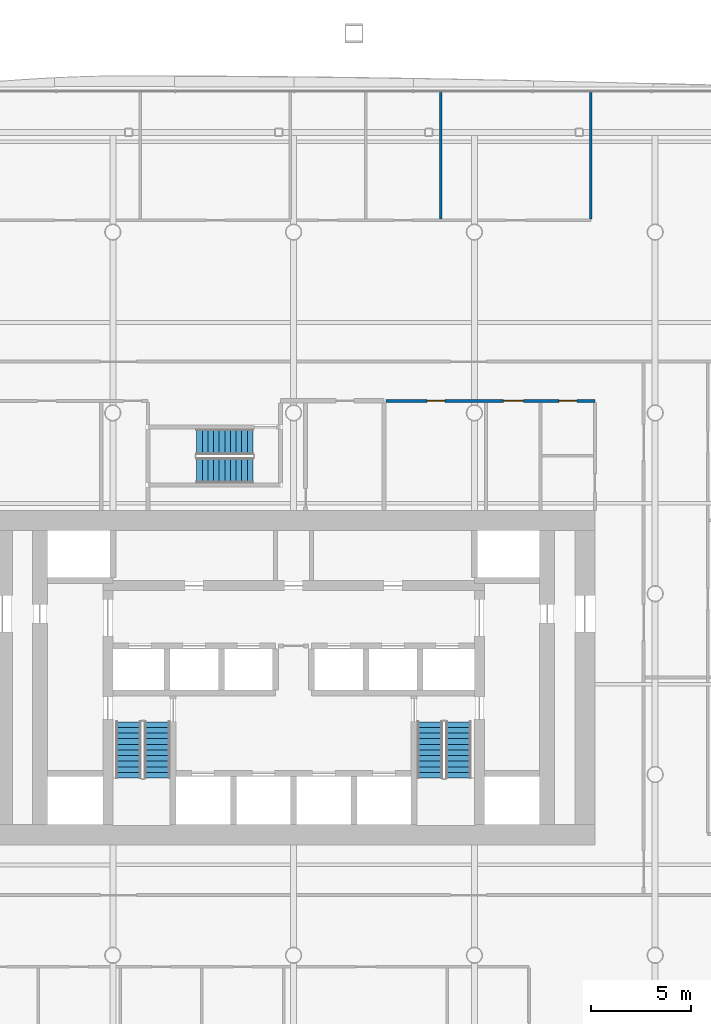
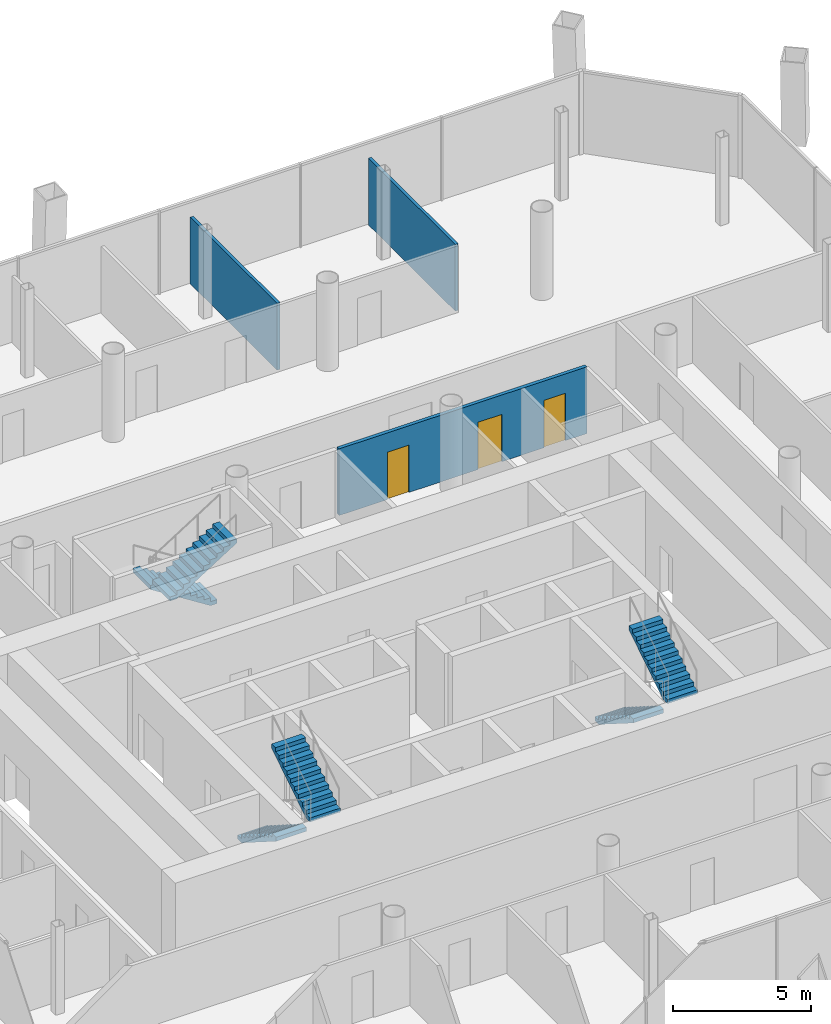
# One storey, part 14 of 19: 6 stair flights, 3 doors, 3 walls, 3 openings, 3 elements without a shape of their own.
"""IFC4 building model written with IfcOpenShell, lengths in metres."""

from ifc_helpers import new_model, si_unit, direction, frame, frame_2d, origin, place, context, subcontext, project, spatial, polyline, rectangle, outline, extrude, material, layer, layer_set, type_object, element, fill, aggregate, save


model = new_model("IFC4")

# Units and contexts
model_context = context("Model", 3, precision=1e-05, world=origin(), true_north=direction((0.0, 1.0)))
body_context = subcontext(model_context, "Body", "Model", "MODEL_VIEW")
ifc_project = project(units=[si_unit("LENGTHUNIT", "METRE"), si_unit("AREAUNIT", "SQUARE_METRE"), si_unit("VOLUMEUNIT", "CUBIC_METRE"), si_unit("PLANEANGLEUNIT", "RADIAN"), si_unit("MASSUNIT", "GRAM", prefix="KILO")], contexts=[model_context])

# Site, building, storey
site_placement = place(None, origin())
site = spatial("IfcSite", under=ifc_project, at=site_placement, CompositionType="ELEMENT")
building_placement = place(site_placement, origin())
building = spatial("IfcBuilding", under=site, at=building_placement, Name="Tskaro Facet Tower", CompositionType="ELEMENT")
storey_placement = place(building_placement, frame((0.0, 0.0, 77.699951171875)))
storey = spatial("IfcBuildingStorey", under=building, at=storey_placement, Name="L18", CompositionType="ELEMENT", Elevation=77.699951171875)

# Walls
ifc_material_1 = material(Name="Gypsum board on steel studs", Category="steel")
ifc_layer_1 = layer(ifc_material_1, 0.125, Name="Gypsum board on steel studs")
ifc_layer_set_1 = layer_set([ifc_layer_1], Name="Gypsum board on steel studs")
wall_type_1 = type_object("IfcWallType", Name="PART", PredefinedType="PARTITIONING", material=ifc_layer_set_1)
for number, where, z_axis, x_axis, name in (
    (1, (7.318115234375, 18.642578125, 0.0), (0.0, 0.0, 1.0), (0.0, 1.0, 0.0), "Partition W063"),
    (2, (14.7939453125, 18.642578125, 0.0), (0.0, 0.0, 1.0), (0.0, 1.0, 0.0), "Partition W069"),
):
    element("IfcWall", number, at=place(storey_placement, frame(where, z_axis=z_axis, x_axis=x_axis)), inside=storey, type_object=wall_type_1, Name=name, PredefinedType="PARTITIONING", context=body_context, shape_type="SweptSolid", body=[
        extrude(rectangle(XDim=6.318359375, YDim=0.125, at=frame_2d((3.1591796875, 0.0))), origin(), (0.0, 0.0, 1.0), 2.9599609375),
    ])

# Wall, openings, doors
ifc_layer_2 = layer(ifc_material_1, 0.14990234375, Name="Gypsum board on steel studs")
ifc_layer_set_2 = layer_set([ifc_layer_2], Name="Gypsum board on steel studs")
wall_type_2 = type_object("IfcWallType", Name="PART-CORR", PredefinedType="PARTITIONING", material=ifc_layer_set_2)
wall_placement = place(storey_placement, frame((15.0, 9.60498046875, 0.0), z_axis=(0.0, 0.0, 1.0), x_axis=(-1.0, 0.0, 0.0)))
wall = element("IfcWall", 3, at=wall_placement, inside=storey, type_object=wall_type_2, Name="Corridor wall W027", PredefinedType="PARTITIONING", context=body_context, shape_type="SweptSolid", body=[
    extrude(rectangle(XDim=10.39990234375, YDim=0.14990234375, at=frame_2d((5.199951171875, 0.0))), origin(), (0.0, 0.0, 1.0), 2.9599609375),
])
opening_1_placement = place(wall_placement, frame((0.89990234375, 0.0, 0.0)))
opening_1 = element("IfcOpeningElement", 4, at=opening_1_placement, cuts=wall, Name="Opening T5-D41", PredefinedType="OPENING", context=body_context, shape_type="SweptSolid", body=[
    extrude(rectangle(XDim=0.89990234375, YDim=2.10009765625, at=frame_2d((0.449951171875, 1.050048828125))), frame((0.0, 0.0849609375, 0.0), z_axis=(0.0, -1.0, 0.0), x_axis=(1.0, 0.0, 0.0)), (0.0, 0.0, 1.0), 0.169921875),
])
opening_2_placement = place(wall_placement, frame((7.46240234375, 0.0, 0.0)))
opening_2 = element("IfcOpeningElement", 5, at=opening_2_placement, cuts=wall, Name="Opening T5-D39", PredefinedType="OPENING", context=body_context, shape_type="SweptSolid", body=[
    extrude(rectangle(XDim=0.89990234375, YDim=2.10009765625, at=frame_2d((0.449951171875, 1.050048828125))), frame((0.0, 0.0849609375, 0.0), z_axis=(0.0, -1.0, 0.0), x_axis=(1.0, 0.0, 0.0)), (0.0, 0.0, 1.0), 0.169921875),
])
opening_3_placement = place(wall_placement, frame((3.5625, 0.0, 0.0)))
opening_3 = element("IfcOpeningElement", 6, at=opening_3_placement, cuts=wall, Name="Opening T5-D40", PredefinedType="OPENING", context=body_context, shape_type="SweptSolid", body=[
    extrude(rectangle(XDim=1.0, YDim=2.10009765625, at=frame_2d((0.5, 1.050048828125))), frame((0.0, 0.0849609375, 0.0), z_axis=(0.0, -1.0, 0.0), x_axis=(1.0, 0.0, 0.0)), (0.0, 0.0, 1.0), 0.169921875),
])
ifc_material_2 = material(Name="Timber", Category="wood")
door_type_1 = type_object("IfcDoorType", Name="D-ROOM", OperationType="NOTDEFINED", PredefinedType="DOOR", material=ifc_material_2)
door_1_placement = place(opening_1_placement, origin())
door_1 = element("IfcDoor", 7, at=door_1_placement, inside=storey, type_object=door_type_1, Name="Door T5-D41", OperationType="SINGLE_SWING_RIGHT", OverallHeight=2.10009765625, OverallWidth=0.89990234375, PredefinedType="DOOR", context=body_context, shape_type="SweptSolid", body=[
    extrude(rectangle(XDim=0.89990234375, YDim=2.10009765625, at=frame_2d((0.449951171875, 1.050048828125))), frame((0.0, 0.02490234375, 0.0), z_axis=(0.0, -1.0, 0.0), x_axis=(1.0, 0.0, 0.0)), (0.0, 0.0, 1.0), 0.050048828125),
])
fill(opening_1, door_1)
door_2_placement = place(opening_2_placement, origin())
door_2 = element("IfcDoor", 8, at=door_2_placement, inside=storey, type_object=door_type_1, Name="Door T5-D39", OperationType="SINGLE_SWING_RIGHT", OverallHeight=2.10009765625, OverallWidth=0.89990234375, PredefinedType="DOOR", context=body_context, shape_type="SweptSolid", body=[
    extrude(rectangle(XDim=0.89990234375, YDim=2.10009765625, at=frame_2d((0.449951171875, 1.050048828125))), frame((0.0, 0.02490234375, 0.0), z_axis=(0.0, -1.0, 0.0), x_axis=(1.0, 0.0, 0.0)), (0.0, 0.0, 1.0), 0.050048828125),
])
fill(opening_2, door_2)
door_type_2 = type_object("IfcDoorType", Name="D-ROOM-WIDE", OperationType="NOTDEFINED", PredefinedType="DOOR", material=ifc_material_2)
door_3_placement = place(opening_3_placement, origin())
door_3 = element("IfcDoor", 9, at=door_3_placement, inside=storey, type_object=door_type_2, Name="Door T5-D40", OperationType="SINGLE_SWING_RIGHT", OverallHeight=2.10009765625, OverallWidth=1.0, PredefinedType="DOOR", context=body_context, shape_type="SweptSolid", body=[
    extrude(rectangle(XDim=1.0, YDim=2.10009765625, at=frame_2d((0.5, 1.050048828125))), frame((0.0, 0.02490234375, 0.0), z_axis=(0.0, -1.0, 0.0), x_axis=(1.0, 0.0, 0.0)), (0.0, 0.0, 1.0), 0.050048828125),
])
fill(opening_3, door_3)

# Stair, stair flights
ifc_material_3 = material(Name="Concrete C40/50", Category="concrete")
stair_type = type_object("IfcStairType", Name="ST-TWR", PredefinedType="HALF_TURN_STAIR", material=ifc_material_3)
stair_1_placement = place(storey_placement, origin())
stair_1 = element("IfcStair", 10, at=stair_1_placement, inside=storey, type_object=stair_type, Name="L18 Exit stair 1", PredefinedType="HALF_TURN_STAIR")
stair_flight_type = type_object("IfcStairFlightType", Name="SFL-RC", PredefinedType="STRAIGHT", material=ifc_material_3)
stair_flight_1_placement = place(storey_placement, frame((-8.21240234375, -6.375, 0.0), z_axis=(0.0, 0.0, 1.0), x_axis=(0.0, -1.0, 0.0)))
stair_flight_1 = element("IfcStairFlight", 11, at=stair_flight_1_placement, type_object=stair_flight_type, Name="ST-1 flight 1", NumberOfRisers=11, NumberOfTreads=10, PredefinedType="STRAIGHT", RiserHeight=0.177272727, TreadLength=0.28, context=body_context, shape_type="SweptSolid", body=[
    extrude(outline(polyline([(0.0, 0.0), (0.0, 0.17724609375), (0.280029296875, 0.17724609375), (0.280029296875, 0.3544921875), (0.56005859375, 0.3544921875), (0.56005859375, 0.53173828125), (0.840087890625, 0.53173828125), (0.840087890625, 0.708984375), (1.1201171875, 0.708984375), (1.1201171875, 0.886474609375), (1.39990234375, 0.886474609375), (1.39990234375, 1.063720703125), (1.679931640625, 1.063720703125), (1.679931640625, 1.240966796875), (1.9599609375, 1.240966796875), (1.9599609375, 1.418212890625), (2.239990234375, 1.418212890625), (2.239990234375, 1.595458984375), (2.52001953125, 1.595458984375), (2.52001953125, 1.772705078125), (2.800048828125, 1.772705078125), (2.800048828125, 1.949951171875), (2.800048828125, 1.59521484375), (0.2802734375, 0.0), (0.0, 0.0)])), frame((0.0, 0.637451171875, 0.0), z_axis=(0.0, -1.0, 0.0), x_axis=(1.0, 0.0, 0.0)), (0.0, 0.0, 1.0), 1.27490234375),
])
stair_flight_2_placement = place(storey_placement, frame((-6.78759765625, -9.175048828125, 1.949951171875), z_axis=(0.0, 0.0, 1.0), x_axis=(0.0, 1.0, 0.0)))
stair_flight_2 = element("IfcStairFlight", 12, at=stair_flight_2_placement, type_object=stair_flight_type, Name="ST-1 flight 2", NumberOfRisers=11, NumberOfTreads=10, PredefinedType="STRAIGHT", RiserHeight=0.177272727, TreadLength=0.28, context=body_context, shape_type="SweptSolid", body=[
    extrude(outline(polyline([(0.0, 0.0), (0.0, 0.17724609375), (0.280029296875, 0.17724609375), (0.280029296875, 0.3544921875), (0.56005859375, 0.3544921875), (0.56005859375, 0.53173828125), (0.840087890625, 0.53173828125), (0.840087890625, 0.708984375), (1.1201171875, 0.708984375), (1.1201171875, 0.886474609375), (1.39990234375, 0.886474609375), (1.39990234375, 1.063720703125), (1.679931640625, 1.063720703125), (1.679931640625, 1.240966796875), (1.9599609375, 1.240966796875), (1.9599609375, 1.418212890625), (2.239990234375, 1.418212890625), (2.239990234375, 1.595458984375), (2.52001953125, 1.595458984375), (2.52001953125, 1.772705078125), (2.800048828125, 1.772705078125), (2.800048828125, 1.949951171875), (2.800048828125, 1.59521484375), (0.2802734375, 0.0), (0.0, 0.0)])), frame((0.0, 0.637451171875, 0.0), z_axis=(0.0, -1.0, 0.0), x_axis=(1.0, 0.0, 0.0)), (0.0, 0.0, 1.0), 1.27490234375),
])
aggregate(stair_1, [stair_flight_1, stair_flight_2])

stair_2_placement = place(storey_placement, origin())
stair_2 = element("IfcStair", 13, at=stair_2_placement, inside=storey, type_object=stair_type, Name="L18 Exit stair 2", PredefinedType="HALF_TURN_STAIR")
stair_flight_3_placement = place(storey_placement, frame((6.78759765625, -6.375, 0.0), z_axis=(0.0, 0.0, 1.0), x_axis=(0.0, -1.0, 0.0)))
stair_flight_3 = element("IfcStairFlight", 14, at=stair_flight_3_placement, type_object=stair_flight_type, Name="ST-2 flight 1", NumberOfRisers=11, NumberOfTreads=10, PredefinedType="STRAIGHT", RiserHeight=0.177272727, TreadLength=0.28, context=body_context, shape_type="SweptSolid", body=[
    extrude(outline(polyline([(0.0, 0.0), (0.0, 0.17724609375), (0.280029296875, 0.17724609375), (0.280029296875, 0.3544921875), (0.56005859375, 0.3544921875), (0.56005859375, 0.53173828125), (0.840087890625, 0.53173828125), (0.840087890625, 0.708984375), (1.1201171875, 0.708984375), (1.1201171875, 0.886474609375), (1.39990234375, 0.886474609375), (1.39990234375, 1.063720703125), (1.679931640625, 1.063720703125), (1.679931640625, 1.240966796875), (1.9599609375, 1.240966796875), (1.9599609375, 1.418212890625), (2.239990234375, 1.418212890625), (2.239990234375, 1.595458984375), (2.52001953125, 1.595458984375), (2.52001953125, 1.772705078125), (2.800048828125, 1.772705078125), (2.800048828125, 1.949951171875), (2.800048828125, 1.59521484375), (0.2802734375, 0.0), (0.0, 0.0)])), frame((0.0, 0.637451171875, 0.0), z_axis=(0.0, -1.0, 0.0), x_axis=(1.0, 0.0, 0.0)), (0.0, 0.0, 1.0), 1.27490234375),
])
stair_flight_4_placement = place(storey_placement, frame((8.21240234375, -9.175048828125, 1.949951171875), z_axis=(0.0, 0.0, 1.0), x_axis=(0.0, 1.0, 0.0)))
stair_flight_4 = element("IfcStairFlight", 15, at=stair_flight_4_placement, type_object=stair_flight_type, Name="ST-2 flight 2", NumberOfRisers=11, NumberOfTreads=10, PredefinedType="STRAIGHT", RiserHeight=0.177272727, TreadLength=0.28, context=body_context, shape_type="SweptSolid", body=[
    extrude(outline(polyline([(0.0, 0.0), (0.0, 0.17724609375), (0.280029296875, 0.17724609375), (0.280029296875, 0.3544921875), (0.56005859375, 0.3544921875), (0.56005859375, 0.53173828125), (0.840087890625, 0.53173828125), (0.840087890625, 0.708984375), (1.1201171875, 0.708984375), (1.1201171875, 0.886474609375), (1.39990234375, 0.886474609375), (1.39990234375, 1.063720703125), (1.679931640625, 1.063720703125), (1.679931640625, 1.240966796875), (1.9599609375, 1.240966796875), (1.9599609375, 1.418212890625), (2.239990234375, 1.418212890625), (2.239990234375, 1.595458984375), (2.52001953125, 1.595458984375), (2.52001953125, 1.772705078125), (2.800048828125, 1.772705078125), (2.800048828125, 1.949951171875), (2.800048828125, 1.59521484375), (0.2802734375, 0.0), (0.0, 0.0)])), frame((0.0, 0.637451171875, 0.0), z_axis=(0.0, -1.0, 0.0), x_axis=(1.0, 0.0, 0.0)), (0.0, 0.0, 1.0), 1.27490234375),
])
aggregate(stair_2, [stair_flight_3, stair_flight_4])

stair_3_placement = place(storey_placement, origin())
stair_3 = element("IfcStair", 16, at=stair_3_placement, inside=storey, type_object=stair_type, Name="L18 Exit stair 3", PredefinedType="HALF_TURN_STAIR")
stair_flight_5_placement = place(storey_placement, frame((-2.02490234375, 7.5625, 0.0), z_axis=(0.0, 0.0, 1.0), x_axis=(-1.0, 0.0, 0.0)))
stair_flight_5 = element("IfcStairFlight", 17, at=stair_flight_5_placement, type_object=stair_flight_type, Name="ST-3 flight 1", NumberOfRisers=11, NumberOfTreads=10, PredefinedType="STRAIGHT", RiserHeight=0.177272727, TreadLength=0.28, context=body_context, shape_type="SweptSolid", body=[
    extrude(outline(polyline([(0.0, 0.0), (0.0, 0.17724609375), (0.280029296875, 0.17724609375), (0.280029296875, 0.3544921875), (0.56005859375, 0.3544921875), (0.56005859375, 0.53173828125), (0.840087890625, 0.53173828125), (0.840087890625, 0.708984375), (1.1201171875, 0.708984375), (1.1201171875, 0.886474609375), (1.39990234375, 0.886474609375), (1.39990234375, 1.063720703125), (1.679931640625, 1.063720703125), (1.679931640625, 1.240966796875), (1.9599609375, 1.240966796875), (1.9599609375, 1.418212890625), (2.239990234375, 1.418212890625), (2.239990234375, 1.595458984375), (2.52001953125, 1.595458984375), (2.52001953125, 1.772705078125), (2.800048828125, 1.772705078125), (2.800048828125, 1.949951171875), (2.800048828125, 1.59521484375), (0.2802734375, 0.0), (0.0, 0.0)])), frame((0.0, 0.637451171875, 0.0), z_axis=(0.0, -1.0, 0.0), x_axis=(1.0, 0.0, 0.0)), (0.0, 0.0, 1.0), 1.27490234375),
])
stair_flight_6_placement = place(storey_placement, frame((-4.824951171875, 6.137451171875, 1.949951171875), z_axis=(0.0, 0.0, 1.0), x_axis=(1.0, 0.0, 0.0)))
stair_flight_6 = element("IfcStairFlight", 18, at=stair_flight_6_placement, type_object=stair_flight_type, Name="ST-3 flight 2", NumberOfRisers=11, NumberOfTreads=10, PredefinedType="STRAIGHT", RiserHeight=0.177272727, TreadLength=0.28, context=body_context, shape_type="SweptSolid", body=[
    extrude(outline(polyline([(0.0, 0.0), (0.0, 0.17724609375), (0.280029296875, 0.17724609375), (0.280029296875, 0.3544921875), (0.56005859375, 0.3544921875), (0.56005859375, 0.53173828125), (0.840087890625, 0.53173828125), (0.840087890625, 0.708984375), (1.1201171875, 0.708984375), (1.1201171875, 0.886474609375), (1.39990234375, 0.886474609375), (1.39990234375, 1.063720703125), (1.679931640625, 1.063720703125), (1.679931640625, 1.240966796875), (1.9599609375, 1.240966796875), (1.9599609375, 1.418212890625), (2.239990234375, 1.418212890625), (2.239990234375, 1.595458984375), (2.52001953125, 1.595458984375), (2.52001953125, 1.772705078125), (2.800048828125, 1.772705078125), (2.800048828125, 1.949951171875), (2.800048828125, 1.59521484375), (0.2802734375, 0.0), (0.0, 0.0)])), frame((0.0, 0.637451171875, 0.0), z_axis=(0.0, -1.0, 0.0), x_axis=(1.0, 0.0, 0.0)), (0.0, 0.0, 1.0), 1.27490234375),
])
aggregate(stair_3, [stair_flight_5, stair_flight_6])

save(model, "model.ifc")
